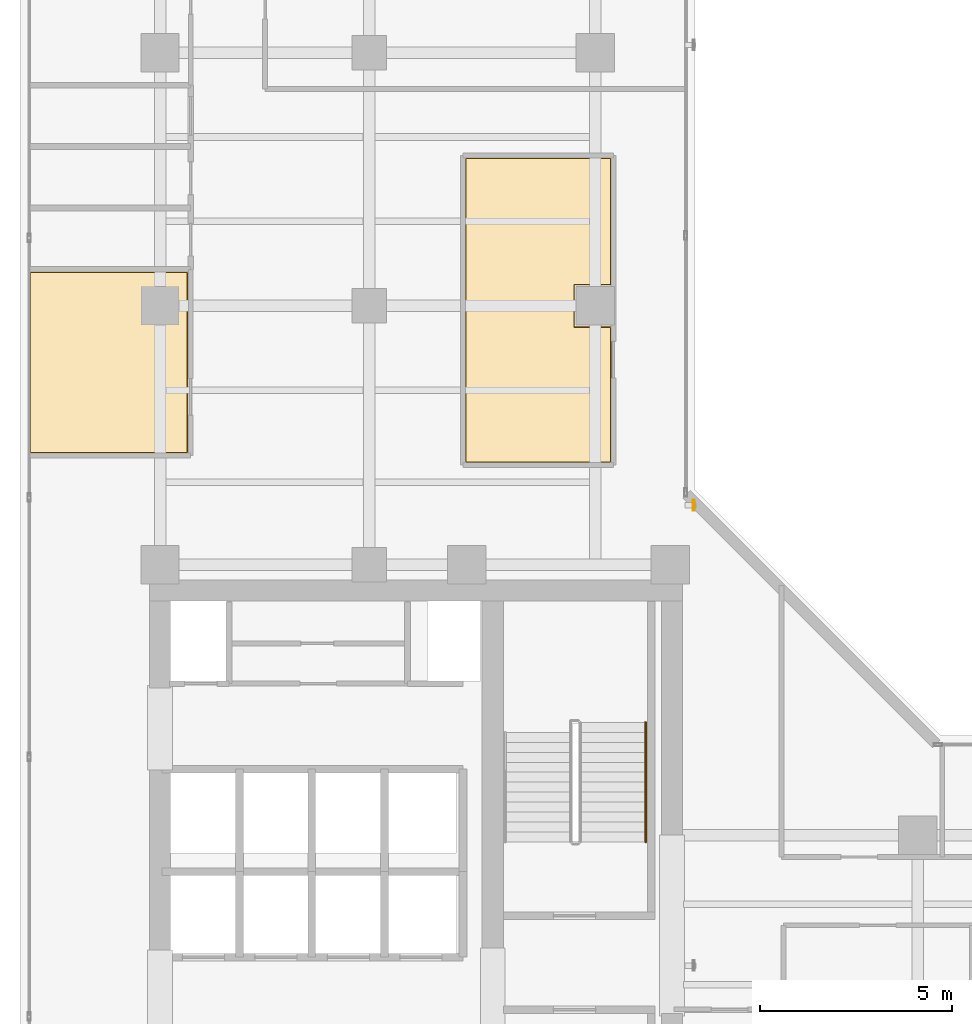
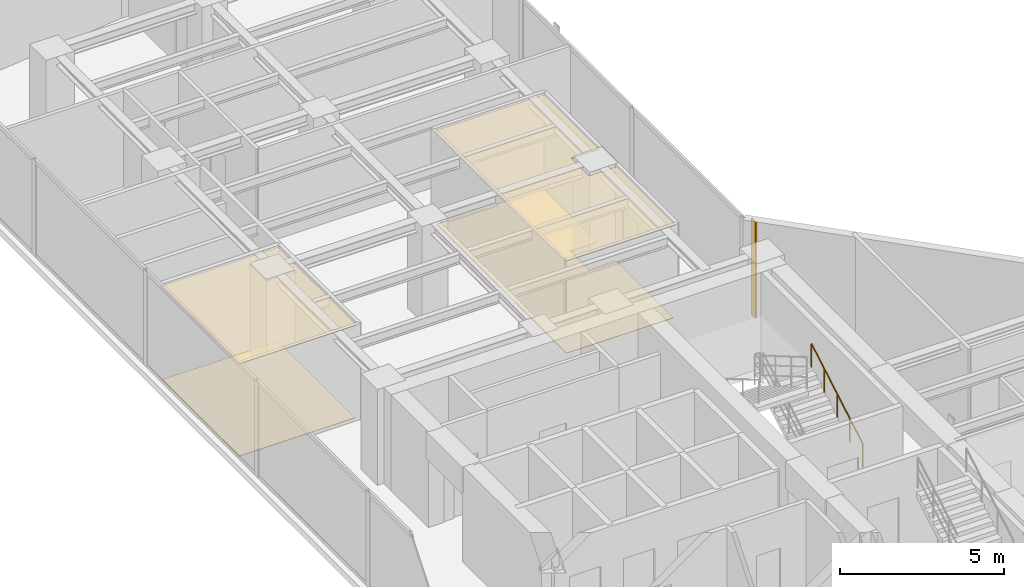
# One storey, part 22 of 24: 4 coverings, 1 railing, 1 shading device.
"""IFC4 building model written with IfcOpenShell, lengths in metres."""

from ifc_helpers import new_model, si_unit, direction, frame, origin, origin_2d, place, context, subcontext, project, spatial, polyline, hollow_rectangle, circle, outline, extrude, material, layer, layer_set, material_profile, profile_set, type_object, element, save


model = new_model("IFC4")

# Units and contexts
model_context = context("Model", 3, precision=1e-05, world=origin(), true_north=direction((0.0, 1.0)))
body_context = subcontext(model_context, "Body", "Model", "MODEL_VIEW")
ifc_project = project(units=[si_unit("LENGTHUNIT", "METRE"), si_unit("AREAUNIT", "SQUARE_METRE"), si_unit("VOLUMEUNIT", "CUBIC_METRE"), si_unit("PLANEANGLEUNIT", "RADIAN"), si_unit("MASSUNIT", "GRAM", prefix="KILO")], contexts=[model_context])

# Site, building, storey
site_placement = place(None, origin())
site = spatial("IfcSite", under=ifc_project, at=site_placement, CompositionType="ELEMENT")
building_placement = place(site_placement, origin())
building = spatial("IfcBuilding", under=site, at=building_placement, Name="Kolvaren Waterfront Exchange", CompositionType="ELEMENT")
storey_placement = place(building_placement, frame((0.0, 0.0, 208.300048828125)))
storey = spatial("IfcBuildingStorey", under=building, at=storey_placement, Name="L53", CompositionType="ELEMENT", Elevation=208.300048828125)

# Coverings
ifc_material_1 = material(Name="Mineral fibre acoustic ceiling tile")
ifc_layer_1 = layer(ifc_material_1, 0.02490234375, Name="Mineral fibre acoustic ceiling tile")
ifc_layer_set_1 = layer_set([ifc_layer_1], Name="Mineral fibre acoustic ceiling tile")
covering_type_1 = type_object("IfcCoveringType", Name="ARC-CEIL-ACOUSTIC-25", PredefinedType="CEILING", material=ifc_layer_set_1)
covering_1_placement = place(storey_placement, frame((0.0, 0.0, 3.445068359375)))
element("IfcCovering", 1, at=covering_1_placement, inside=storey, type_object=covering_type_1, Name="L53 acoustic suspended ceiling 1", PredefinedType="CEILING", context=body_context, shape_type="SweptSolid", body=[
    extrude(outline(polyline([(19.22509765625, 30.659912109375), (18.260009765625, 30.659912109375), (18.260009765625, 31.739990234375), (19.22509765625, 31.739990234375), (19.22509765625, 35.074951171875), (15.39501953125, 35.074951171875), (15.39501953125, 27.094970703125), (19.22509765625, 27.094970703125), (19.22509765625, 30.659912109375)])), origin(), (0.0, 0.0, 1.0), 0.02490234375),
])
covering_2_placement = place(storey_placement, frame((0.0, 0.0, 3.445068359375)))
element("IfcCovering", 2, at=covering_2_placement, inside=storey, type_object=covering_type_1, Name="L53 acoustic suspended ceiling 2", PredefinedType="CEILING", context=body_context, shape_type="SweptSolid", body=[
    extrude(outline(polyline([(8.18505859375, 27.344970703125), (8.18505859375, 32.10498046875), (4.044921875, 32.10498046875), (4.044921875, 27.344970703125), (8.18505859375, 27.344970703125)])), origin(), (0.0, 0.0, 1.0), 0.02490234375),
])

# Shading device
ifc_material_2 = material(Name="Anodised bronze aluminium 6063-T6", Category="aluminium")
ifc_material_profile = material_profile(ifc_material_2, hollow_rectangle(XDim=0.054931640625, YDim=0.280029296875, WallThickness=0.00439453125, at=origin_2d()), Name="BRZ-FIN-280x55x4.5")
ifc_profile_set = profile_set([ifc_material_profile], Name="Anodised bronze aluminium 6063-T6")
shading_device_type = type_object("IfcShadingDeviceType", Name="ARC-FIN-280", PredefinedType="USERDEFINED", material=ifc_profile_set)
shading_device_placement = place(storey_placement, frame((21.360107421875, 26.0, 0.0), z_axis=(0.0, 0.0, 1.0), x_axis=(1.0, 0.0, 0.0)))
element("IfcShadingDevice", 3, at=shading_device_placement, inside=storey, type_object=shading_device_type, Name="L53 anodised bronze solar shading fin FIN-L53-E2", ObjectType="SOLAR FIN", PredefinedType="USERDEFINED", context=body_context, shape_type="SweptSolid", body=[
    extrude(hollow_rectangle(XDim=0.054931640625, YDim=0.280029296875, WallThickness=0.00439453125, at=origin_2d()), origin(), (0.0, 0.0, 1.0), 3.56005859375),
])

# Coverings
ifc_material_3 = material(Name="Slip-resistant porcelain tile")
ifc_layer_2 = layer(ifc_material_3, 0.014892578125, Name="Slip-resistant porcelain tile")
ifc_layer_set_2 = layer_set([ifc_layer_2], Name="Slip-resistant porcelain tile")
covering_type_2 = type_object("IfcCoveringType", Name="ARC-FLR-PORC-15", PredefinedType="FLOORING", material=ifc_layer_set_2)
covering_3_placement = place(storey_placement, origin())
element("IfcCovering", 4, at=covering_3_placement, inside=storey, type_object=covering_type_2, Name="L53 floor finish 1", PredefinedType="FLOORING", context=body_context, shape_type="SweptSolid", body=[
    extrude(outline(polyline([(15.429931640625, 35.0400390625), (15.429931640625, 27.1298828125), (19.18994140625, 27.1298828125), (19.18994140625, 30.639892578125), (18.239990234375, 30.639892578125), (18.239990234375, 31.760009765625), (19.18994140625, 31.760009765625), (19.18994140625, 35.0400390625), (15.429931640625, 35.0400390625)])), origin(), (0.0, 0.0, 1.0), 0.014892578125),
])
covering_4_placement = place(storey_placement, origin())
element("IfcCovering", 5, at=covering_4_placement, inside=storey, type_object=covering_type_2, Name="L53 floor finish 2", PredefinedType="FLOORING", context=body_context, shape_type="SweptSolid", body=[
    extrude(outline(polyline([(4.080078125, 32.070068359375), (4.080078125, 27.3798828125), (8.14990234375, 27.3798828125), (8.14990234375, 32.070068359375), (4.080078125, 32.070068359375)])), origin(), (0.0, 0.0, 1.0), 0.014892578125),
])

# Railing
ifc_material_4 = material(Name="Stainless steel 316", Category="steel")
railing_type = type_object("IfcRailingType", Name="ARC-HANDRAIL-900", PredefinedType="HANDRAIL", material=ifc_material_4)
railing_placement = place(storey_placement, frame((20.110107421875, 17.219970703125, 0.15185546875)))
element("IfcRailing", 6, at=railing_placement, inside=storey, type_object=railing_type, Name="L53 ST2 stair handrail 1", PredefinedType="HANDRAIL", context=body_context, shape_type="SweptSolid", body=[
    extrude(circle(Radius=0.02392578125, at=origin_2d()), frame((0.0, 0.0, 0.8759765625), z_axis=(0.0, 0.86330811405, 0.504677223793), x_axis=(-1.0, 0.0, 0.0)), (0.0, 0.0, 1.0), 3.6142578125),
    extrude(circle(Radius=0.02099609375, at=origin_2d()), origin(), (0.0, 0.0, 1.0), 0.851806640625),
    extrude(circle(Radius=0.02099609375, at=origin_2d()), frame((0.0, 0.780029296875, 0.4560546875)), (0.0, 0.0, 1.0), 0.851806640625),
    extrude(circle(Radius=0.02099609375, at=origin_2d()), frame((0.0, 1.56005859375, 0.912109375)), (0.0, 0.0, 1.0), 0.851806640625),
    extrude(circle(Radius=0.02099609375, at=origin_2d()), frame((0.0, 2.340087890625, 1.367919921875)), (0.0, 0.0, 1.0), 0.851806640625),
    extrude(circle(Radius=0.02099609375, at=origin_2d()), frame((0.0, 3.1201171875, 1.823974609375)), (0.0, 0.0, 1.0), 0.851806640625),
])

save(model, "model.ifc")
